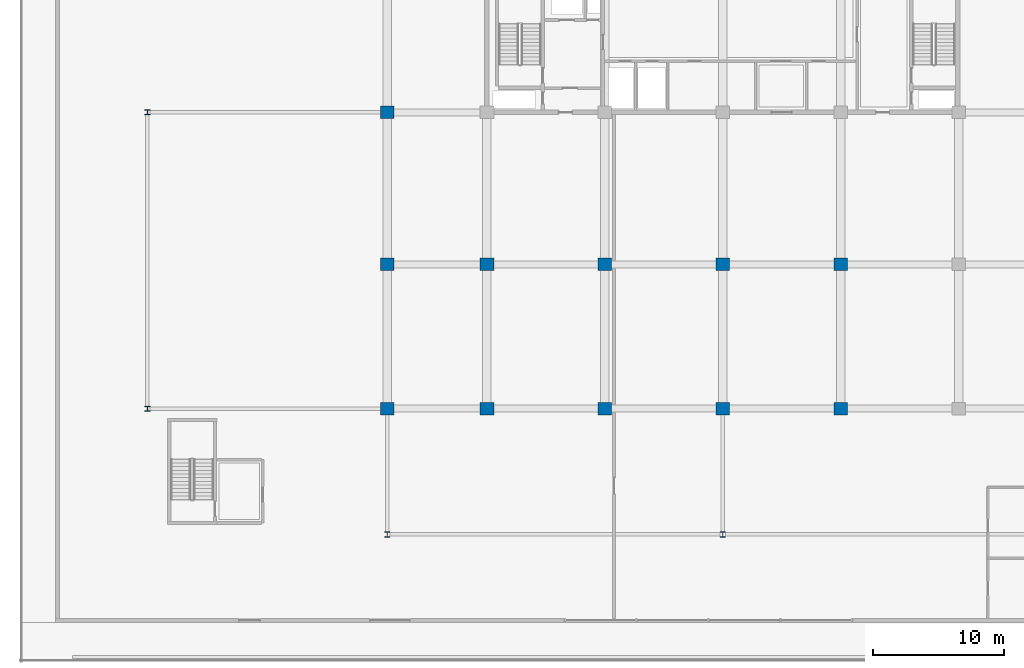
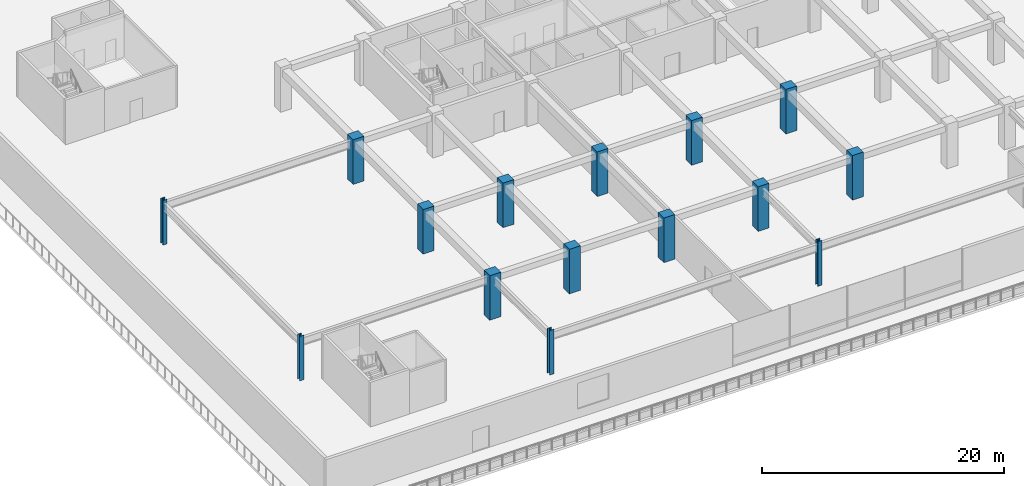
# One storey, part 1 of 43: 15 columns.
"""IFC4 building model written with IfcOpenShell, lengths in metres."""

from ifc_helpers import new_model, si_unit, direction, frame, origin, origin_2d, place, context, subcontext, project, spatial, rectangle, i_section, extrude, material, material_profile, profile_set, type_object, element, save


model = new_model("IFC4")

# Units and contexts
model_context = context("Model", 3, precision=1e-05, world=origin(), true_north=direction((0.0, 1.0)))
body_context = subcontext(model_context, "Body", "Model", "MODEL_VIEW")
ifc_project = project(units=[si_unit("LENGTHUNIT", "METRE"), si_unit("AREAUNIT", "SQUARE_METRE"), si_unit("VOLUMEUNIT", "CUBIC_METRE"), si_unit("PLANEANGLEUNIT", "RADIAN"), si_unit("MASSUNIT", "GRAM", prefix="KILO")], contexts=[model_context])

# Site, building, storey
site_placement = place(None, origin())
site = spatial("IfcSite", under=ifc_project, at=site_placement, CompositionType="ELEMENT")
building_placement = place(site_placement, origin())
building = spatial("IfcBuilding", under=site, at=building_placement, Name="Korimba Cascade Residences", CompositionType="ELEMENT")
storey_placement = place(building_placement, frame((0.0, 0.0, 10.0)))
storey = spatial("IfcBuildingStorey", under=building, at=storey_placement, Name="L02", CompositionType="ELEMENT", Elevation=10.0)

# Columns
ifc_material_1 = material(Name="Concrete C80/95", Category="concrete")
ifc_material_profile_1 = material_profile(ifc_material_1, rectangle(XDim=1.050048828125, YDim=0.949951171875, at=origin_2d()), Name="Concrete C80/95")
ifc_profile_set_1 = profile_set([ifc_material_profile_1], Name="Concrete C80/95")
column_type_1 = type_object("IfcColumnType", Name="COL-RC-1050", PredefinedType="COLUMN", material=ifc_profile_set_1)
for number, where, z_axis, x_axis, name in (
    (1, (74.5, -4.199951171875, 0.0), (0.0, 0.0, 1.0), (1.0, 0.0, 0.0), "L02 Tower 2 Column 1.1"),
    (2, (74.5, 6.800048828125, 0.0), (0.0, 0.0, 1.0), (1.0, 0.0, 0.0), "L02 Tower 2 Column 1.2"),
    (3, (74.5, 18.39990234375, 0.0), (0.0, 0.0, 1.0), (1.0, 0.0, 0.0), "L02 Tower 2 Column 1.3"),
    (4, (82.10009765625, -4.199951171875, 0.0), (0.0, 0.0, 1.0), (1.0, 0.0, 0.0), "L02 Tower 2 Column 2.1"),
    (5, (82.10009765625, 6.800048828125, 0.0), (0.0, 0.0, 1.0), (1.0, 0.0, 0.0), "L02 Tower 2 Column 2.2"),
    (6, (91.10009765625, -4.199951171875, 0.0), (0.0, 0.0, 1.0), (1.0, 0.0, 0.0), "L02 Tower 2 Column 3.1"),
    (7, (91.10009765625, 6.800048828125, 0.0), (0.0, 0.0, 1.0), (1.0, 0.0, 0.0), "L02 Tower 2 Column 3.2"),
    (8, (100.10009765625, -4.199951171875, 0.0), (0.0, 0.0, 1.0), (1.0, 0.0, 0.0), "L02 Tower 2 Column 4.1"),
    (9, (100.10009765625, 6.800048828125, 0.0), (0.0, 0.0, 1.0), (1.0, 0.0, 0.0), "L02 Tower 2 Column 4.2"),
    (10, (109.10009765625, -4.199951171875, 0.0), (0.0, 0.0, 1.0), (1.0, 0.0, 0.0), "L02 Tower 2 Column 5.1"),
    (11, (109.10009765625, 6.800048828125, 0.0), (0.0, 0.0, 1.0), (1.0, 0.0, 0.0), "L02 Tower 2 Column 5.2"),
):
    element("IfcColumn", number, at=place(storey_placement, frame(where, z_axis=z_axis, x_axis=x_axis)), inside=storey, type_object=column_type_1, Name=name, PredefinedType="COLUMN", context=body_context, shape_type="SweptSolid", body=[
        extrude(rectangle(XDim=1.050048828125, YDim=0.949951171875, at=origin_2d()), origin(), (0.0, 0.0, 1.0), 4.5),
    ])
ifc_material_2 = material(Name="Steel S355", Category="steel")
ifc_material_profile_2 = material_profile(ifc_material_2, i_section(OverallWidth=0.39892578125, OverallDepth=0.3935546875, WebThickness=0.022705078125, FlangeThickness=0.03662109375, FilletRadius=0.01513671875, at=origin_2d()), Name="Steel S355")
ifc_profile_set_2 = profile_set([ifc_material_profile_2], Name="Steel S355")
column_type_2 = type_object("IfcColumnType", Name="COL-STL-UC287", PredefinedType="COLUMN", material=ifc_profile_set_2)
for number, where, z_axis, x_axis, name in (
    (12, (56.199951171875, -4.199951171875, 0.0), (0.0, 0.0, 1.0), (1.0, 0.0, 0.0), "L02 Podium Column PCW1"),
    (13, (56.199951171875, 18.39990234375, 0.0), (0.0, 0.0, 1.0), (1.0, 0.0, 0.0), "L02 Podium Column PCW2"),
    (14, (74.5, -13.800048828125, 0.0), (0.0, 0.0, 1.0), (1.0, 0.0, 0.0), "L02 Podium Column PCS1"),
    (15, (100.10009765625, -13.800048828125, 0.0), (0.0, 0.0, 1.0), (1.0, 0.0, 0.0), "L02 Podium Column PCS2"),
):
    element("IfcColumn", number, at=place(storey_placement, frame(where, z_axis=z_axis, x_axis=x_axis)), inside=storey, type_object=column_type_2, Name=name, PredefinedType="COLUMN", context=body_context, shape_type="SweptSolid", body=[
        extrude(i_section(OverallWidth=0.39892578125, OverallDepth=0.3935546875, WebThickness=0.022705078125, FlangeThickness=0.03662109375, FilletRadius=0.01513671875, at=origin_2d()), origin(), (0.0, 0.0, 1.0), 4.5),
    ])

save(model, "model.ifc")
